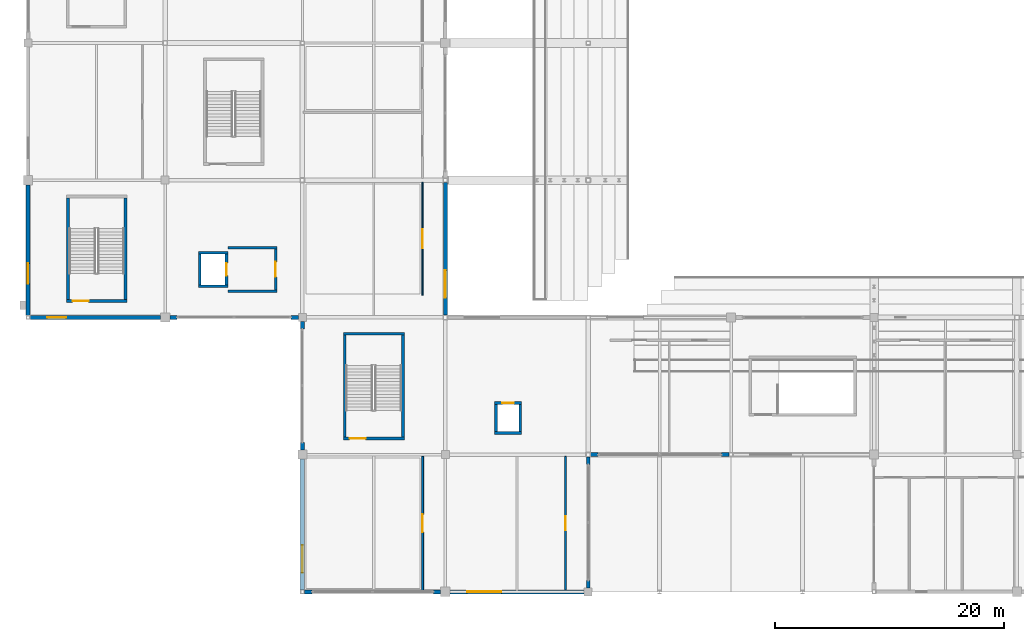
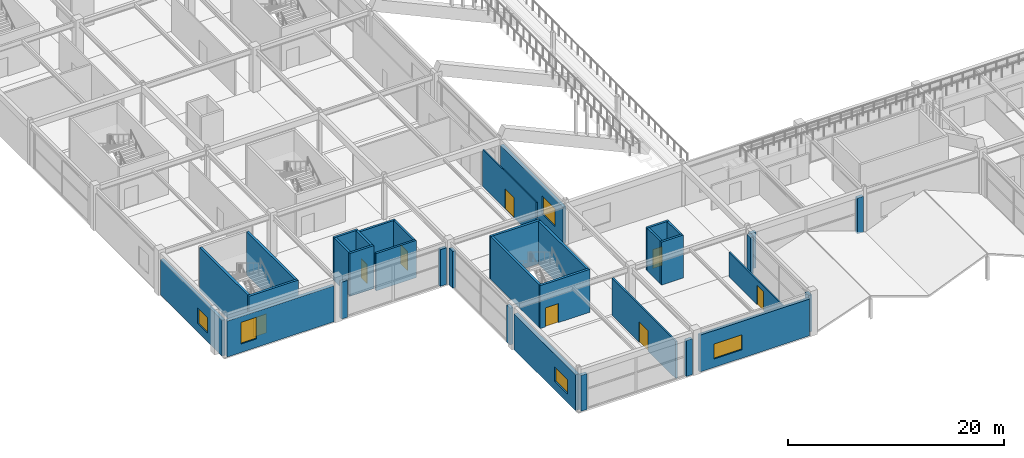
# One storey, part 84 of 128: 36 walls, 8 doors, 5 windows, 13 openings.
"""IFC4 building model written with IfcOpenShell, lengths in metres."""

from ifc_helpers import new_model, si_unit, direction, frame, frame_2d, origin, place, context, subcontext, project, spatial, rectangle, extrude, material, layer, layer_set, type_object, element, fill, save


model = new_model("IFC4")

# Units and contexts
model_context = context("Model", 3, precision=1e-05, world=origin(), true_north=direction((0.0, 1.0)))
body_context = subcontext(model_context, "Body", "Model", "MODEL_VIEW")
ifc_project = project(units=[si_unit("LENGTHUNIT", "METRE"), si_unit("AREAUNIT", "SQUARE_METRE"), si_unit("VOLUMEUNIT", "CUBIC_METRE"), si_unit("PLANEANGLEUNIT", "RADIAN"), si_unit("MASSUNIT", "GRAM", prefix="KILO")], contexts=[model_context])

# Site, building, storey
site_placement = place(None, origin())
site = spatial("IfcSite", under=ifc_project, at=site_placement, CompositionType="ELEMENT")
building_placement = place(site_placement, origin())
building = spatial("IfcBuilding", under=site, at=building_placement, Name="Kazenohara Klinker Stadium", CompositionType="ELEMENT")
storey_placement = place(building_placement, frame((0.0, 0.0, 15.300048828125)))
storey = spatial("IfcBuildingStorey", under=building, at=storey_placement, Name="L03", CompositionType="ELEMENT", Elevation=15.300048828125)

# Walls
ifc_material_1 = material(Name="Concrete C40/50", Category="concrete")
ifc_layer_1 = layer(ifc_material_1, 0.22998046875)
ifc_layer_set_1 = layer_set([ifc_layer_1], Name="Concrete C40/50")
wall_type_1 = type_object("IfcWallType", Name="WAL-CORE-230", PredefinedType="SHEAR", material=ifc_layer_set_1)
for number, where, z_axis, x_axis, name in (
    (1, (14.919921875, 38.735107421875, 0.0), (0.0, 0.0, 1.0), (1.0, 0.0, 0.0), "Elevator shaft wall LF01 L03 South"),
    (2, (14.919921875, 41.6650390625, 0.0), (0.0, 0.0, 1.0), (1.0, 0.0, 0.0), "Elevator shaft wall LF01 L03 North"),
):
    element("IfcWall", number, at=place(storey_placement, frame(where, z_axis=z_axis, x_axis=x_axis)), inside=storey, type_object=wall_type_1, Name=name, PredefinedType="SHEAR", context=body_context, shape_type="SweptSolid", body=[
        extrude(rectangle(XDim=2.56005859375, YDim=0.22998046875, at=frame_2d((1.280029296875, 0.0))), origin(), (0.0, 0.0, 1.0), 4.85986328125),
    ])
wall_1_placement = place(storey_placement, frame((15.034912109375, 38.85009765625, 0.0), z_axis=(0.0, 0.0, 1.0), x_axis=(0.0, 1.0, 0.0)))
element("IfcWall", 3, at=wall_1_placement, inside=storey, type_object=wall_type_1, Name="Elevator shaft wall LF01 L03 West", PredefinedType="SHEAR", context=body_context, shape_type="SweptSolid", body=[
    extrude(rectangle(XDim=2.699951171875, YDim=0.22998046875, at=frame_2d((1.35009765625, 0.0))), origin(), (0.0, 0.0, 1.0), 4.85986328125),
])

# Wall, opening, door
wall_2_placement = place(storey_placement, frame((17.364990234375, 38.85009765625, 0.0), z_axis=(0.0, 0.0, 1.0), x_axis=(0.0, 1.0, 0.0)))
wall_2 = element("IfcWall", 4, at=wall_2_placement, inside=storey, type_object=wall_type_1, Name="Elevator shaft wall LF01 L03 East", PredefinedType="SHEAR", context=body_context, shape_type="SweptSolid", body=[
    extrude(rectangle(XDim=2.699951171875, YDim=0.22998046875, at=frame_2d((1.35009765625, 0.0))), origin(), (0.0, 0.0, 1.0), 4.85986328125),
])
opening_1_placement = place(wall_2_placement, frame((0.800048828125, 0.0, 0.0)))
opening_1 = element("IfcOpeningElement", 5, at=opening_1_placement, cuts=wall_2, Name="Opening LD01", PredefinedType="OPENING", context=body_context, shape_type="SweptSolid", body=[
    extrude(rectangle(XDim=1.10009765625, YDim=2.14990234375, at=frame_2d((0.550048828125, 1.074951171875))), frame((0.0, 0.125, 0.0), z_axis=(0.0, -1.0, 0.0), x_axis=(1.0, 0.0, 0.0)), (0.0, 0.0, 1.0), 0.25),
])
ifc_material_2 = material(Name="Stainless steel fire-rated sliding landing door", Category="steel")
door_type_1 = type_object("IfcDoorType", Name="DR-LD01-1100x2150", OperationType="NOTDEFINED", PredefinedType="DOOR", material=ifc_material_2)
door_1_placement = place(opening_1_placement, origin())
door_1 = element("IfcDoor", 6, at=door_1_placement, inside=storey, type_object=door_type_1, Name="Elevator sliding landing door LF01-L03", OperationType="DOUBLE_DOOR_SLIDING", OverallHeight=2.14990234375, OverallWidth=1.10009765625, PredefinedType="DOOR", context=body_context, shape_type="SweptSolid", body=[
    extrude(rectangle(XDim=1.10009765625, YDim=2.14990234375, at=frame_2d((0.550048828125, 1.074951171875))), frame((0.0, 0.02490234375, 0.0), z_axis=(0.0, -1.0, 0.0), x_axis=(1.0, 0.0, 0.0)), (0.0, 0.0, 1.0), 0.050048828125),
])
fill(opening_1, door_1)

# Wall
wall_3_placement = place(storey_placement, frame((40.820068359375, 25.885009765625, 0.0), z_axis=(0.0, 0.0, 1.0), x_axis=(1.0, 0.0, 0.0)))
element("IfcWall", 7, at=wall_3_placement, inside=storey, type_object=wall_type_1, Name="Elevator shaft wall LP03 L03 South", PredefinedType="SHEAR", context=body_context, shape_type="SweptSolid", body=[
    extrude(rectangle(XDim=2.35986328125, YDim=0.22998046875, at=frame_2d((1.179931640625, 0.0))), origin(), (0.0, 0.0, 1.0), 4.85986328125),
])

# Wall, opening, door
wall_4_placement = place(storey_placement, frame((40.820068359375, 28.514892578125, 0.0), z_axis=(0.0, 0.0, 1.0), x_axis=(1.0, 0.0, 0.0)))
wall_4 = element("IfcWall", 8, at=wall_4_placement, inside=storey, type_object=wall_type_1, Name="Elevator shaft wall LP03 L03 North", PredefinedType="SHEAR", context=body_context, shape_type="SweptSolid", body=[
    extrude(rectangle(XDim=2.35986328125, YDim=0.22998046875, at=frame_2d((1.179931640625, 0.0))), origin(), (0.0, 0.0, 1.0), 4.85986328125),
])
opening_2_placement = place(wall_4_placement, frame((0.679931640625, 0.0, 0.0)))
opening_2 = element("IfcOpeningElement", 9, at=opening_2_placement, cuts=wall_4, Name="Opening LD02", PredefinedType="OPENING", context=body_context, shape_type="SweptSolid", body=[
    extrude(rectangle(XDim=1.0, YDim=2.14990234375, at=frame_2d((0.5, 1.074951171875))), frame((0.0, 0.125, 0.0), z_axis=(0.0, -1.0, 0.0), x_axis=(1.0, 0.0, 0.0)), (0.0, 0.0, 1.0), 0.25),
])
ifc_material_3 = material(Name="Stainless steel sliding landing door", Category="steel")
door_type_2 = type_object("IfcDoorType", Name="DR-LD02-1000x2150", OperationType="NOTDEFINED", PredefinedType="DOOR", material=ifc_material_3)
door_2_placement = place(opening_2_placement, origin())
door_2 = element("IfcDoor", 10, at=door_2_placement, inside=storey, type_object=door_type_2, Name="Elevator sliding landing door LP03-L03", OperationType="DOUBLE_DOOR_SLIDING", OverallHeight=2.14990234375, OverallWidth=1.0, PredefinedType="DOOR", context=body_context, shape_type="SweptSolid", body=[
    extrude(rectangle(XDim=1.0, YDim=2.14990234375, at=frame_2d((0.5, 1.074951171875))), frame((0.0, 0.02490234375, 0.0), z_axis=(0.0, -1.0, 0.0), x_axis=(1.0, 0.0, 0.0)), (0.0, 0.0, 1.0), 0.050048828125),
])
fill(opening_2, door_2)

# Walls
for number, where, z_axis, x_axis, name in (
    (11, (40.93505859375, 26.0, 0.0), (0.0, 0.0, 1.0), (0.0, 1.0, 0.0), "Elevator shaft wall LP03 L03 West"),
    (12, (43.06494140625, 26.0, 0.0), (0.0, 0.0, 1.0), (0.0, 1.0, 0.0), "Elevator shaft wall LP03 L03 East"),
):
    element("IfcWall", number, at=place(storey_placement, frame(where, z_axis=z_axis, x_axis=x_axis)), inside=storey, type_object=wall_type_1, Name=name, PredefinedType="SHEAR", context=body_context, shape_type="SweptSolid", body=[
        extrude(rectangle(XDim=2.39990234375, YDim=0.22998046875, at=frame_2d((1.199951171875, 0.0))), origin(), (0.0, 0.0, 1.0), 4.85986328125),
    ])

# Wall, opening, door
ifc_layer_2 = layer(ifc_material_1, 0.25)
ifc_layer_set_2 = layer_set([ifc_layer_2], Name="Concrete C40/50")
wall_type_2 = type_object("IfcWallType", Name="WAL-CORE-250", PredefinedType="SHEAR", material=ifc_layer_set_2)
wall_5_placement = place(storey_placement, frame((3.360107421875, 37.425048828125, 0.0), z_axis=(0.0, 0.0, 1.0), x_axis=(1.0, 0.0, 0.0)))
wall_5 = element("IfcWall", 13, at=wall_5_placement, inside=storey, type_object=wall_type_2, Name="Stairwell shear wall ST01 L03 South", PredefinedType="SHEAR", context=body_context, shape_type="SweptSolid", body=[
    extrude(rectangle(XDim=5.27978515625, YDim=0.25, at=frame_2d((2.639892578125, 0.0))), origin(), (0.0, 0.0, 1.0), 4.85986328125),
])
opening_3_placement = place(wall_5_placement, frame((0.550048828125, 0.0, 0.0)))
opening_3 = element("IfcOpeningElement", 14, at=opening_3_placement, cuts=wall_5, Name="Opening SD01", PredefinedType="OPENING", context=body_context, shape_type="SweptSolid", body=[
    extrude(rectangle(XDim=1.39990234375, YDim=2.14990234375, at=frame_2d((0.699951171875, 1.074951171875))), frame((0.0, 0.135009765625, 0.0), z_axis=(0.0, -1.0, 0.0), x_axis=(1.0, 0.0, 0.0)), (0.0, 0.0, 1.0), 0.27001953125),
])
ifc_material_4 = material(Name="Flush painted steel fire door leaf", Category="steel")
door_type_3 = type_object("IfcDoorType", Name="DR-STR-1400x2150", OperationType="NOTDEFINED", PredefinedType="DOOR", material=ifc_material_4)
door_3_placement = place(opening_3_placement, origin())
door_3 = element("IfcDoor", 15, at=door_3_placement, inside=storey, type_object=door_type_3, Name="Escape stairwell fire door ST01-L03", OperationType="SINGLE_SWING_LEFT", OverallHeight=2.14990234375, OverallWidth=1.39990234375, PredefinedType="DOOR", context=body_context, shape_type="SweptSolid", body=[
    extrude(rectangle(XDim=1.39990234375, YDim=2.14990234375, at=frame_2d((0.699951171875, 1.074951171875))), frame((0.0, 0.02490234375, 0.0), z_axis=(0.0, -1.0, 0.0), x_axis=(1.0, 0.0, 0.0)), (0.0, 0.0, 1.0), 0.050048828125),
])
fill(opening_3, door_3)

# Walls
for number, where, z_axis, x_axis, name in (
    (16, (3.485107421875, 37.550048828125, 0.0), (0.0, 0.0, 1.0), (0.0, 1.0, 0.0), "Stairwell shear wall ST01 L03 West"),
    (17, (8.514892578125, 37.550048828125, 0.0), (0.0, 0.0, 1.0), (0.0, 1.0, 0.0), "Stairwell shear wall ST01 L03 East"),
):
    element("IfcWall", number, at=place(storey_placement, frame(where, z_axis=z_axis, x_axis=x_axis)), inside=storey, type_object=wall_type_2, Name=name, PredefinedType="SHEAR", context=body_context, shape_type="SweptSolid", body=[
        extrude(rectangle(XDim=8.89990234375, YDim=0.25, at=frame_2d((4.449951171875, 0.0))), origin(), (0.0, 0.0, 1.0), 4.85986328125),
    ])

# Wall, opening, door
wall_6_placement = place(storey_placement, frame((27.580078125, 25.425048828125, 0.0), z_axis=(0.0, 0.0, 1.0), x_axis=(1.0, 0.0, 0.0)))
wall_6 = element("IfcWall", 18, at=wall_6_placement, inside=storey, type_object=wall_type_2, Name="Stairwell shear wall ST07 L03 South", PredefinedType="SHEAR", context=body_context, shape_type="SweptSolid", body=[
    extrude(rectangle(XDim=5.33984375, YDim=0.25, at=frame_2d((2.669921875, 0.0))), origin(), (0.0, 0.0, 1.0), 4.85986328125),
])
opening_4_placement = place(wall_6_placement, frame((0.550048828125, 0.0, 0.0)))
opening_4 = element("IfcOpeningElement", 19, at=opening_4_placement, cuts=wall_6, Name="Opening SD01", PredefinedType="OPENING", context=body_context, shape_type="SweptSolid", body=[
    extrude(rectangle(XDim=1.39990234375, YDim=2.14990234375, at=frame_2d((0.699951171875, 1.074951171875))), frame((0.0, 0.135009765625, 0.0), z_axis=(0.0, -1.0, 0.0), x_axis=(1.0, 0.0, 0.0)), (0.0, 0.0, 1.0), 0.27001953125),
])
door_4_placement = place(opening_4_placement, origin())
door_4 = element("IfcDoor", 20, at=door_4_placement, inside=storey, type_object=door_type_3, Name="Escape stairwell fire door ST07-L03", OperationType="SINGLE_SWING_LEFT", OverallHeight=2.14990234375, OverallWidth=1.39990234375, PredefinedType="DOOR", context=body_context, shape_type="SweptSolid", body=[
    extrude(rectangle(XDim=1.39990234375, YDim=2.14990234375, at=frame_2d((0.699951171875, 1.074951171875))), frame((0.0, 0.02490234375, 0.0), z_axis=(0.0, -1.0, 0.0), x_axis=(1.0, 0.0, 0.0)), (0.0, 0.0, 1.0), 0.050048828125),
])
fill(opening_4, door_4)

# Walls
wall_7_placement = place(storey_placement, frame((27.580078125, 34.574951171875, 0.0), z_axis=(0.0, 0.0, 1.0), x_axis=(1.0, 0.0, 0.0)))
element("IfcWall", 21, at=wall_7_placement, inside=storey, type_object=wall_type_2, Name="Stairwell shear wall ST07 L03 North", PredefinedType="SHEAR", context=body_context, shape_type="SweptSolid", body=[
    extrude(rectangle(XDim=5.33984375, YDim=0.25, at=frame_2d((2.669921875, 0.0))), origin(), (0.0, 0.0, 1.0), 4.85986328125),
])
for number, where, z_axis, x_axis, name in (
    (22, (27.705078125, 25.550048828125, 0.0), (0.0, 0.0, 1.0), (0.0, 1.0, 0.0), "Stairwell shear wall ST07 L03 West"),
    (23, (32.794921875, 25.550048828125, 0.0), (0.0, 0.0, 1.0), (0.0, 1.0, 0.0), "Stairwell shear wall ST07 L03 East"),
):
    element("IfcWall", number, at=place(storey_placement, frame(where, z_axis=z_axis, x_axis=x_axis)), inside=storey, type_object=wall_type_2, Name=name, PredefinedType="SHEAR", context=body_context, shape_type="SweptSolid", body=[
        extrude(rectangle(XDim=8.89990234375, YDim=0.25, at=frame_2d((4.449951171875, 0.0))), origin(), (0.0, 0.0, 1.0), 4.85986328125),
    ])

# Wall, opening, window
ifc_material_5 = material(Name="Clinker brick masonry", Category="masonry")
ifc_layer_3 = layer(ifc_material_5, 0.31005859375)
ifc_layer_set_3 = layer_set([ifc_layer_3], Name="Clinker brick masonry")
wall_type_3 = type_object("IfcWallType", Name="WAL-EXT-CB310", PredefinedType="SOLIDWALL", material=ifc_layer_set_3)
wall_8_placement = place(storey_placement, frame((0.0, 36.178955078125, 0.0), z_axis=(0.0, 0.0, 1.0), x_axis=(0.0, 1.0, 0.0)))
wall_8 = element("IfcWall", 24, at=wall_8_placement, inside=storey, type_object=wall_type_3, Name="Clinker brick cavity wall EW05 L03 Y0-3", PredefinedType="SOLIDWALL", context=body_context, shape_type="SweptSolid", body=[
    extrude(rectangle(XDim=11.4169921875, YDim=0.31005859375, at=frame_2d((5.70849609375, 0.0))), origin(), (0.0, 0.0, 1.0), 4.06005859375),
])
opening_5_placement = place(wall_8_placement, frame((2.75, 0.0, 0.949951171875)))
opening_5 = element("IfcOpeningElement", 25, at=opening_5_placement, cuts=wall_8, Name="Opening W13", PredefinedType="OPENING", context=body_context, shape_type="SweptSolid", body=[
    extrude(rectangle(XDim=1.800048828125, YDim=1.75, at=frame_2d((0.89990234375, 0.875))), frame((0.0, 0.1650390625, 0.0), z_axis=(0.0, -1.0, 0.0), x_axis=(1.0, 0.0, 0.0)), (0.0, 0.0, 1.0), 0.330078125),
])
ifc_material_6 = material(Name="Dark bronze aluminium frame and triple glazing", Category="aluminium")
window_type_1 = type_object("IfcWindowType", Name="WIN-AS-13", PartitioningType="SINGLE_PANEL", PredefinedType="WINDOW", material=ifc_material_6)
window_1_placement = place(opening_5_placement, origin())
window_1 = element("IfcWindow", 26, at=window_1_placement, inside=storey, type_object=window_type_1, Name="Horizontal-mullion ladder window W13 L03 Y0-3", OverallHeight=1.75, OverallWidth=1.800048828125, PartitioningType="SINGLE_PANEL", PredefinedType="WINDOW", context=body_context, shape_type="SweptSolid", body=[
    extrude(rectangle(XDim=1.800048828125, YDim=1.75, at=frame_2d((0.89990234375, 0.875))), frame((0.0, 0.030029296875, 0.0), z_axis=(0.0, -1.0, 0.0), x_axis=(1.0, 0.0, 0.0)), (0.0, 0.0, 1.0), 0.06005859375),
])
fill(opening_5, window_1)

ifc_layer_4 = layer(ifc_material_5, 0.340087890625)
ifc_layer_set_4 = layer_set([ifc_layer_4], Name="Clinker brick masonry")
wall_type_4 = type_object("IfcWallType", Name="WAL-EXT-CB340", PredefinedType="SOLIDWALL", material=ifc_layer_set_4)
wall_9_placement = place(storey_placement, frame((0.178955078125, 36.0, 0.0), z_axis=(0.0, 0.0, 1.0), x_axis=(1.0, 0.0, 0.0)))
wall_9 = element("IfcWall", 27, at=wall_9_placement, inside=storey, type_object=wall_type_4, Name="Clinker brick cavity wall EW04 L03 X0-3", PredefinedType="SOLIDWALL", context=body_context, shape_type="SweptSolid", body=[
    extrude(rectangle(XDim=11.4169921875, YDim=0.340087890625, at=frame_2d((5.70849609375, 0.0))), origin(), (0.0, 0.0, 1.0), 4.06005859375),
])
opening_6_placement = place(wall_9_placement, frame((1.5, 0.0, 0.949951171875)))
opening_6 = element("IfcOpeningElement", 28, at=opening_6_placement, cuts=wall_9, Name="Opening W12", PredefinedType="OPENING", context=body_context, shape_type="SweptSolid", body=[
    extrude(rectangle(XDim=1.64990234375, YDim=2.449951171875, at=frame_2d((0.824951171875, 1.22509765625))), frame((0.0, 0.18017578125, 0.0), z_axis=(0.0, -1.0, 0.0), x_axis=(1.0, 0.0, 0.0)), (0.0, 0.0, 1.0), 0.360107421875),
])
window_type_2 = type_object("IfcWindowType", Name="WIN-AS-12", PartitioningType="SINGLE_PANEL", PredefinedType="WINDOW", material=ifc_material_6)
window_2_placement = place(opening_6_placement, origin())
window_2 = element("IfcWindow", 29, at=window_2_placement, inside=storey, type_object=window_type_2, Name="Horizontal-mullion ladder window W12 L03 X0-3", OverallHeight=2.449951171875, OverallWidth=1.64990234375, PartitioningType="SINGLE_PANEL", PredefinedType="WINDOW", context=body_context, shape_type="SweptSolid", body=[
    extrude(rectangle(XDim=1.64990234375, YDim=2.449951171875, at=frame_2d((0.824951171875, 1.22509765625))), frame((0.0, 0.030029296875, 0.0), z_axis=(0.0, -1.0, 0.0), x_axis=(1.0, 0.0, 0.0)), (0.0, 0.0, 1.0), 0.06005859375),
])
fill(opening_6, window_2)

# Walls
for number, where, z_axis, x_axis, name in (
    (30, (12.404052734375, 36.0, 0.0), (0.0, 0.0, 1.0), (1.0, 0.0, 0.0), "Clinker brick curtain-wall jamb pier L03 X1-3 A"),
    (31, (22.99609375, 36.0, 0.0), (0.0, 0.0, 1.0), (1.0, 0.0, 0.0), "Clinker brick curtain-wall jamb pier L03 X1-3 B"),
):
    element("IfcWall", number, at=place(storey_placement, frame(where, z_axis=z_axis, x_axis=x_axis)), inside=storey, type_object=wall_type_4, Name=name, PredefinedType="SOLIDWALL", context=body_context, shape_type="SweptSolid", body=[
        extrude(rectangle(XDim=0.64990234375, YDim=0.340087890625, at=frame_2d((0.324951171875, 0.0))), origin(), (0.0, 0.0, 1.0), 4.159912109375),
    ])
wall_10_placement = place(storey_placement, frame((24.178955078125, 12.0, 0.0), z_axis=(0.0, 0.0, 1.0), x_axis=(1.0, 0.0, 0.0)))
element("IfcWall", 32, at=wall_10_placement, inside=storey, type_object=wall_type_4, Name="Clinker brick curtain-wall jamb pier L03 X2-1 A", PredefinedType="SOLIDWALL", context=body_context, shape_type="SweptSolid", body=[
    extrude(rectangle(XDim=0.650146484375, YDim=0.340087890625, at=frame_2d((0.3251953125, 0.0))), origin(), (0.0, 0.0, 1.0), 4.06005859375),
])
wall_11_placement = place(storey_placement, frame((35.446044921875, 12.0, 0.0), z_axis=(0.0, 0.0, 1.0), x_axis=(1.0, 0.0, 0.0)))
element("IfcWall", 33, at=wall_11_placement, inside=storey, type_object=wall_type_4, Name="Clinker brick curtain-wall jamb pier L03 X2-1 B", PredefinedType="SOLIDWALL", context=body_context, shape_type="SweptSolid", body=[
    extrude(rectangle(XDim=0.64990234375, YDim=0.340087890625, at=frame_2d((0.324951171875, 0.0))), origin(), (0.0, 0.0, 1.0), 4.06005859375),
])
for number, where, z_axis, x_axis, name in (
    (34, (24.0, 24.404052734375, 0.0), (0.0, 0.0, 1.0), (0.0, 1.0, 0.0), "Clinker brick curtain-wall jamb pier L03 Y2-2 A"),
    (35, (24.0, 34.99609375, 0.0), (0.0, 0.0, 1.0), (0.0, 1.0, 0.0), "Clinker brick curtain-wall jamb pier L03 Y2-2 B"),
):
    element("IfcWall", number, at=place(storey_placement, frame(where, z_axis=z_axis, x_axis=x_axis)), inside=storey, type_object=wall_type_4, Name=name, PredefinedType="SOLIDWALL", context=body_context, shape_type="SweptSolid", body=[
        extrude(rectangle(XDim=0.64990234375, YDim=0.340087890625, at=frame_2d((0.324951171875, 0.0))), origin(), (0.0, 0.0, 1.0), 4.159912109375),
    ])

# Wall, opening, window
wall_12_placement = place(storey_placement, frame((36.5, 36.2041015625, 0.0), z_axis=(0.0, 0.0, 1.0), x_axis=(0.0, 1.0, 0.0)))
wall_12 = element("IfcWall", 36, at=wall_12_placement, inside=storey, type_object=wall_type_4, Name="Clinker brick cavity wall EW04 L03 Y3-3", PredefinedType="SOLIDWALL", context=body_context, shape_type="SweptSolid", body=[
    extrude(rectangle(XDim=11.616943359375, YDim=0.340087890625, at=frame_2d((5.80859375, 0.0))), origin(), (0.0, 0.0, 1.0), 4.06005859375),
])
opening_7_placement = place(wall_12_placement, frame((1.5, 0.0, 0.949951171875)))
opening_7 = element("IfcOpeningElement", 37, at=opening_7_placement, cuts=wall_12, Name="Opening W24", PredefinedType="OPENING", context=body_context, shape_type="SweptSolid", body=[
    extrude(rectangle(XDim=2.39990234375, YDim=2.050048828125, at=frame_2d((1.199951171875, 1.02490234375))), frame((0.0, 0.18017578125, 0.0), z_axis=(0.0, -1.0, 0.0), x_axis=(1.0, 0.0, 0.0)), (0.0, 0.0, 1.0), 0.360107421875),
])
window_type_3 = type_object("IfcWindowType", Name="WIN-AS-24", PartitioningType="SINGLE_PANEL", PredefinedType="WINDOW", material=ifc_material_6)
window_3_placement = place(opening_7_placement, origin())
window_3 = element("IfcWindow", 38, at=window_3_placement, inside=storey, type_object=window_type_3, Name="Horizontal-mullion ladder window W24 L03 Y3-3", OverallHeight=2.050048828125, OverallWidth=2.39990234375, PartitioningType="SINGLE_PANEL", PredefinedType="WINDOW", context=body_context, shape_type="SweptSolid", body=[
    extrude(rectangle(XDim=2.39990234375, YDim=2.050048828125, at=frame_2d((1.199951171875, 1.02490234375))), frame((0.0, 0.030029296875, 0.0), z_axis=(0.0, -1.0, 0.0), x_axis=(1.0, 0.0, 0.0)), (0.0, 0.0, 1.0), 0.06005859375),
])
fill(opening_7, window_3)

wall_13_placement = place(storey_placement, frame((36.904052734375, 12.0, 0.0), z_axis=(0.0, 0.0, 1.0), x_axis=(1.0, 0.0, 0.0)))
wall_13 = element("IfcWall", 39, at=wall_13_placement, inside=storey, type_object=wall_type_4, Name="Clinker brick cavity wall EW04 L03 X3-1", PredefinedType="SOLIDWALL", context=body_context, shape_type="SweptSolid", body=[
    extrude(rectangle(XDim=11.741943359375, YDim=0.340087890625, at=frame_2d((5.87109375, 0.0))), origin(), (0.0, 0.0, 1.0), 4.159912109375),
])
opening_8_placement = place(wall_13_placement, frame((1.5, 0.0, 0.949951171875)))
opening_8 = element("IfcOpeningElement", 40, at=opening_8_placement, cuts=wall_13, Name="Opening W30", PredefinedType="OPENING", context=body_context, shape_type="SweptSolid", body=[
    extrude(rectangle(XDim=3.0, YDim=1.699951171875, at=frame_2d((1.5, 0.85009765625))), frame((0.0, 0.18017578125, 0.0), z_axis=(0.0, -1.0, 0.0), x_axis=(1.0, 0.0, 0.0)), (0.0, 0.0, 1.0), 0.360107421875),
])
window_type_4 = type_object("IfcWindowType", Name="WIN-AS-30", PartitioningType="SINGLE_PANEL", PredefinedType="WINDOW", material=ifc_material_6)
window_4_placement = place(opening_8_placement, origin())
window_4 = element("IfcWindow", 41, at=window_4_placement, inside=storey, type_object=window_type_4, Name="Horizontal-mullion ladder window W30 L03 X3-1", OverallHeight=1.699951171875, OverallWidth=3.0, PartitioningType="SINGLE_PANEL", PredefinedType="WINDOW", context=body_context, shape_type="SweptSolid", body=[
    extrude(rectangle(XDim=3.0, YDim=1.699951171875, at=frame_2d((1.5, 0.85009765625))), frame((0.0, 0.030029296875, 0.0), z_axis=(0.0, -1.0, 0.0), x_axis=(1.0, 0.0, 0.0)), (0.0, 0.0, 1.0), 0.06005859375),
])
fill(opening_8, window_4)

# Walls
for number, where, z_axis, x_axis, name in (
    (42, (49.0, 12.35400390625, 0.0), (0.0, 0.0, 1.0), (0.0, 1.0, 0.0), "Clinker brick curtain-wall jamb pier L03 Y4-1 A"),
    (43, (49.0, 23.14599609375, 0.0), (0.0, 0.0, 1.0), (0.0, 1.0, 0.0), "Clinker brick curtain-wall jamb pier L03 Y4-1 B"),
):
    element("IfcWall", number, at=place(storey_placement, frame(where, z_axis=z_axis, x_axis=x_axis)), inside=storey, type_object=wall_type_4, Name=name, PredefinedType="SOLIDWALL", context=body_context, shape_type="SweptSolid", body=[
        extrude(rectangle(XDim=0.64990234375, YDim=0.340087890625, at=frame_2d((0.324951171875, 0.0))), origin(), (0.0, 0.0, 1.0), 4.171875),
    ])
wall_14_placement = place(storey_placement, frame((49.2041015625, 24.0, 0.0), z_axis=(0.0, 0.0, 1.0), x_axis=(1.0, 0.0, 0.0)))
element("IfcWall", 44, at=wall_14_placement, inside=storey, type_object=wall_type_4, Name="Clinker brick curtain-wall jamb pier L03 X4-2 A", PredefinedType="SOLIDWALL", context=body_context, shape_type="SweptSolid", body=[
    extrude(rectangle(XDim=0.64990234375, YDim=0.340087890625, at=frame_2d((0.324951171875, 0.0))), origin(), (0.0, 0.0, 1.0), 4.06005859375),
])
wall_15_placement = place(storey_placement, frame((60.6708984375, 24.0, 0.0), z_axis=(0.0, 0.0, 1.0), x_axis=(1.0, 0.0, 0.0)))
element("IfcWall", 45, at=wall_15_placement, inside=storey, type_object=wall_type_4, Name="Clinker brick curtain-wall jamb pier L03 X4-2 B", PredefinedType="SOLIDWALL", context=body_context, shape_type="SweptSolid", body=[
    extrude(rectangle(XDim=0.650146484375, YDim=0.340087890625, at=frame_2d((0.3251953125, 0.0))), origin(), (0.0, 0.0, 1.0), 4.06005859375),
])

# Wall, opening, window
ifc_layer_5 = layer(ifc_material_5, 0.409912109375)
ifc_layer_set_5 = layer_set([ifc_layer_5], Name="Clinker brick masonry")
wall_type_5 = type_object("IfcWallType", Name="WAL-EXT-CB410", PredefinedType="SOLIDWALL", material=ifc_layer_set_5)
wall_16_placement = place(storey_placement, frame((24.0, 12.178955078125, 0.0), z_axis=(0.0, 0.0, 1.0), x_axis=(0.0, 1.0, 0.0)))
wall_16 = element("IfcWall", 46, at=wall_16_placement, inside=storey, type_object=wall_type_5, Name="Clinker brick cavity wall EW02 L03 Y2-1", PredefinedType="SOLIDWALL", context=body_context, shape_type="SweptSolid", body=[
    extrude(rectangle(XDim=11.4169921875, YDim=0.409912109375, at=frame_2d((5.70849609375, 0.0))), origin(), (0.0, 0.0, 1.0), 4.06005859375),
])
opening_9_placement = place(wall_16_placement, frame((1.5, 0.0, 0.949951171875)))
opening_9 = element("IfcOpeningElement", 47, at=opening_9_placement, cuts=wall_16, Name="Opening W23", PredefinedType="OPENING", context=body_context, shape_type="SweptSolid", body=[
    extrude(rectangle(XDim=2.39990234375, YDim=1.64990234375, at=frame_2d((1.199951171875, 0.824951171875))), frame((0.0, 0.21484375, 0.0), z_axis=(0.0, -1.0, 0.0), x_axis=(1.0, 0.0, 0.0)), (0.0, 0.0, 1.0), 0.429931640625),
])
window_type_5 = type_object("IfcWindowType", Name="WIN-AS-23", PartitioningType="SINGLE_PANEL", PredefinedType="WINDOW", material=ifc_material_6)
window_5_placement = place(opening_9_placement, origin())
window_5 = element("IfcWindow", 48, at=window_5_placement, inside=storey, type_object=window_type_5, Name="Horizontal-mullion ladder window W23 L03 Y2-1", OverallHeight=1.64990234375, OverallWidth=2.39990234375, PartitioningType="SINGLE_PANEL", PredefinedType="WINDOW", context=body_context, shape_type="SweptSolid", body=[
    extrude(rectangle(XDim=2.39990234375, YDim=1.64990234375, at=frame_2d((1.199951171875, 0.824951171875))), frame((0.0, 0.030029296875, 0.0), z_axis=(0.0, -1.0, 0.0), x_axis=(1.0, 0.0, 0.0)), (0.0, 0.0, 1.0), 0.06005859375),
])
fill(opening_9, window_5)

# Walls
ifc_layer_6 = layer(ifc_material_1, 0.219970703125)
ifc_layer_set_6 = layer_set([ifc_layer_6], Name="Concrete C40/50")
wall_type_6 = type_object("IfcWallType", Name="WAL-INT-FF220", PredefinedType="SOLIDWALL", material=ifc_layer_set_6)
for number, where, z_axis, x_axis, name in (
    (49, (17.47998046875, 38.2900390625, 0.0), (0.0, 0.0, 1.0), (1.0, 0.0, 0.0), "Firefighting lobby wall LF01 L03 South"),
    (50, (17.47998046875, 42.110107421875, 0.0), (0.0, 0.0, 1.0), (1.0, 0.0, 0.0), "Firefighting lobby wall LF01 L03 North"),
):
    element("IfcWall", number, at=place(storey_placement, frame(where, z_axis=z_axis, x_axis=x_axis)), inside=storey, type_object=wall_type_6, Name=name, PredefinedType="SOLIDWALL", context=body_context, shape_type="SweptSolid", body=[
        extrude(rectangle(XDim=4.2900390625, YDim=0.219970703125, at=frame_2d((2.14501953125, 0.0))), origin(), (0.0, 0.0, 1.0), 4.219970703125),
    ])

# Wall, opening, door
wall_17_placement = place(storey_placement, frame((21.659912109375, 38.39990234375, 0.0), z_axis=(0.0, 0.0, 1.0), x_axis=(0.0, 1.0, 0.0)))
wall_17 = element("IfcWall", 51, at=wall_17_placement, inside=storey, type_object=wall_type_6, Name="Firefighting lobby front wall LF01 L03", PredefinedType="SOLIDWALL", context=body_context, shape_type="SweptSolid", body=[
    extrude(rectangle(XDim=3.60009765625, YDim=0.219970703125, at=frame_2d((1.800048828125, 0.0))), origin(), (0.0, 0.0, 1.0), 4.219970703125),
])
opening_10_placement = place(wall_17_placement, frame((1.14990234375, 0.0, 0.0)))
opening_10 = element("IfcOpeningElement", 52, at=opening_10_placement, cuts=wall_17, Name="Opening FD01", PredefinedType="OPENING", context=body_context, shape_type="SweptSolid", body=[
    extrude(rectangle(XDim=1.300048828125, YDim=2.14990234375, at=frame_2d((0.64990234375, 1.074951171875))), frame((0.0, 0.1201171875, 0.0), z_axis=(0.0, -1.0, 0.0), x_axis=(1.0, 0.0, 0.0)), (0.0, 0.0, 1.0), 0.239990234375),
])
ifc_material_7 = material(Name="Smoke-sealed steel fire lobby door", Category="steel")
door_type_4 = type_object("IfcDoorType", Name="DR-FFL-1300x2150", OperationType="NOTDEFINED", PredefinedType="DOOR", material=ifc_material_7)
door_5_placement = place(opening_10_placement, origin())
door_5 = element("IfcDoor", 53, at=door_5_placement, inside=storey, type_object=door_type_4, Name="Firefighting lobby smoke-sealed door LF01-L03", OperationType="SINGLE_SWING_LEFT", OverallHeight=2.14990234375, OverallWidth=1.300048828125, PredefinedType="DOOR", context=body_context, shape_type="SweptSolid", body=[
    extrude(rectangle(XDim=1.300048828125, YDim=2.14990234375, at=frame_2d((0.64990234375, 1.074951171875))), frame((0.0, 0.02490234375, 0.0), z_axis=(0.0, -1.0, 0.0), x_axis=(1.0, 0.0, 0.0)), (0.0, 0.0, 1.0), 0.050048828125),
])
fill(opening_10, door_5)

ifc_material_8 = material(Name="Fire-rated gypsum board on acoustic studs", Category="gypsum")
ifc_layer_7 = layer(ifc_material_8, 0.1201171875)
ifc_layer_set_7 = layer_set([ifc_layer_7], Name="Fire-rated gypsum board on acoustic studs")
wall_type_7 = type_object("IfcWallType", Name="WAL-INT-P120", PredefinedType="PARTITIONING", material=ifc_layer_set_7)
wall_18_placement = place(storey_placement, frame((34.510009765625, 37.919921875, 0.0), z_axis=(0.0, 0.0, 1.0), x_axis=(0.0, 1.0, 0.0)))
wall_18 = element("IfcWall", 54, at=wall_18_placement, inside=storey, type_object=wall_type_7, Name="Interior partition wall PT02 SPC-L03-02-03-1-1", PredefinedType="PARTITIONING", context=body_context, shape_type="SweptSolid", body=[
    extrude(rectangle(XDim=9.920166015625, YDim=0.1201171875, at=frame_2d((4.9599609375, 0.0))), origin(), (0.0, 0.0, 1.0), 4.219970703125),
])
opening_11_placement = place(wall_18_placement, frame((4.135009765625, 0.0, 0.0)))
opening_11 = element("IfcOpeningElement", 55, at=opening_11_placement, cuts=wall_18, Name="Opening ID24", PredefinedType="OPENING", context=body_context, shape_type="SweptSolid", body=[
    extrude(rectangle(XDim=1.64990234375, YDim=2.280029296875, at=frame_2d((0.824951171875, 1.14013671875))), frame((0.0, 0.070068359375, 0.0), z_axis=(0.0, -1.0, 0.0), x_axis=(1.0, 0.0, 0.0)), (0.0, 0.0, 1.0), 0.14013671875),
])
ifc_material_9 = material(Name="Painted steel plant fire door", Category="steel")
door_type_5 = type_object("IfcDoorType", Name="DR-INT-24", OperationType="NOTDEFINED", PredefinedType="DOOR", material=ifc_material_9)
door_6_placement = place(opening_11_placement, origin())
door_6 = element("IfcDoor", 56, at=door_6_placement, inside=storey, type_object=door_type_5, Name="Interior door ID24 Upper Stand First-Aid Medical Clinic L03-0203A", OperationType="SINGLE_SWING_LEFT", OverallHeight=2.280029296875, OverallWidth=1.64990234375, PredefinedType="DOOR", context=body_context, shape_type="SweptSolid", body=[
    extrude(rectangle(XDim=1.64990234375, YDim=2.280029296875, at=frame_2d((0.824951171875, 1.14013671875))), frame((0.0, 0.02490234375, 0.0), z_axis=(0.0, -1.0, 0.0), x_axis=(1.0, 0.0, 0.0)), (0.0, 0.0, 1.0), 0.050048828125),
])
fill(opening_11, door_6)

ifc_layer_8 = layer(ifc_material_8, 0.139892578125)
ifc_layer_set_8 = layer_set([ifc_layer_8], Name="Fire-rated gypsum board on acoustic studs")
wall_type_8 = type_object("IfcWallType", Name="WAL-INT-P140", PredefinedType="PARTITIONING", material=ifc_layer_set_8)
wall_19_placement = place(storey_placement, frame((47.010009765625, 12.172119140625, 0.0), z_axis=(0.0, 0.0, 1.0), x_axis=(0.0, 1.0, 0.0)))
wall_19 = element("IfcWall", 57, at=wall_19_placement, inside=storey, type_object=wall_type_8, Name="Interior partition wall PT03 SPC-L03-03-01-1-1", PredefinedType="PARTITIONING", context=body_context, shape_type="SweptSolid", body=[
    extrude(rectangle(XDim=11.66796875, YDim=0.139892578125, at=frame_2d((5.833984375, 0.0))), origin(), (0.0, 0.0, 1.0), 2.77001953125),
])
opening_12_placement = place(wall_19_placement, frame((5.222900390625, 0.0, 0.0)))
opening_12 = element("IfcOpeningElement", 58, at=opening_12_placement, cuts=wall_19, Name="Opening ID12", PredefinedType="OPENING", context=body_context, shape_type="SweptSolid", body=[
    extrude(rectangle(XDim=1.2099609375, YDim=2.179931640625, at=frame_2d((0.60498046875, 1.08984375))), frame((0.0, 0.080078125, 0.0), z_axis=(0.0, -1.0, 0.0), x_axis=(1.0, 0.0, 0.0)), (0.0, 0.0, 1.0), 0.159912109375),
])
ifc_material_10 = material(Name="Solid-core Hokkaido oak fire door", Category="wood")
door_type_6 = type_object("IfcDoorType", Name="DR-INT-12", OperationType="NOTDEFINED", PredefinedType="DOOR", material=ifc_material_10)
door_7_placement = place(opening_12_placement, origin())
door_7 = element("IfcDoor", 59, at=door_7_placement, inside=storey, type_object=door_type_6, Name="Interior door ID12 Supporter Tifo Workshop Studio L03-0301A", OperationType="SINGLE_SWING_LEFT", OverallHeight=2.179931640625, OverallWidth=1.2099609375, PredefinedType="DOOR", context=body_context, shape_type="SweptSolid", body=[
    extrude(rectangle(XDim=1.2099609375, YDim=2.179931640625, at=frame_2d((0.60498046875, 1.08984375))), frame((0.0, 0.02490234375, 0.0), z_axis=(0.0, -1.0, 0.0), x_axis=(1.0, 0.0, 0.0)), (0.0, 0.0, 1.0), 0.050048828125),
])
fill(opening_12, door_7)

ifc_layer_9 = layer(ifc_material_8, 0.169921875)
ifc_layer_set_9 = layer_set([ifc_layer_9], Name="Fire-rated gypsum board on acoustic studs")
wall_type_9 = type_object("IfcWallType", Name="WAL-INT-P170", PredefinedType="PARTITIONING", material=ifc_layer_set_9)
wall_20_placement = place(storey_placement, frame((34.510009765625, 12.02392578125, 0.0), z_axis=(0.0, 0.0, 1.0), x_axis=(0.0, 1.0, 0.0)))
wall_20 = element("IfcWall", 60, at=wall_20_placement, inside=storey, type_object=wall_type_9, Name="Interior partition wall PT05 SPC-L03-02-01-1-1", PredefinedType="PARTITIONING", context=body_context, shape_type="SweptSolid", body=[
    extrude(rectangle(XDim=11.816162109375, YDim=0.169921875, at=frame_2d((5.908203125, 0.0))), origin(), (0.0, 0.0, 1.0), 4.219970703125),
])
opening_13_placement = place(wall_20_placement, frame((5.176025390625, 0.0, 0.0)))
opening_13 = element("IfcOpeningElement", 61, at=opening_13_placement, cuts=wall_20, Name="Opening ID23", PredefinedType="OPENING", context=body_context, shape_type="SweptSolid", body=[
    extrude(rectangle(XDim=1.60009765625, YDim=2.300048828125, at=frame_2d((0.800048828125, 1.14990234375))), frame((0.0, 0.094970703125, 0.0), z_axis=(0.0, -1.0, 0.0), x_axis=(1.0, 0.0, 0.0)), (0.0, 0.0, 1.0), 0.18994140625),
])
door_type_7 = type_object("IfcDoorType", Name="DR-INT-23", OperationType="NOTDEFINED", PredefinedType="DOOR", material=ifc_material_9)
door_8_placement = place(opening_13_placement, origin())
door_8 = element("IfcDoor", 62, at=door_8_placement, inside=storey, type_object=door_type_7, Name="Interior door ID23 Upper Concourse Supporter Dining Pavilion L03-0201A", OperationType="SINGLE_SWING_RIGHT", OverallHeight=2.300048828125, OverallWidth=1.60009765625, PredefinedType="DOOR", context=body_context, shape_type="SweptSolid", body=[
    extrude(rectangle(XDim=1.60009765625, YDim=2.300048828125, at=frame_2d((0.800048828125, 1.14990234375))), frame((0.0, 0.02490234375, 0.0), z_axis=(0.0, -1.0, 0.0), x_axis=(1.0, 0.0, 0.0)), (0.0, 0.0, 1.0), 0.050048828125),
])
fill(opening_13, door_8)

save(model, "model.ifc")
